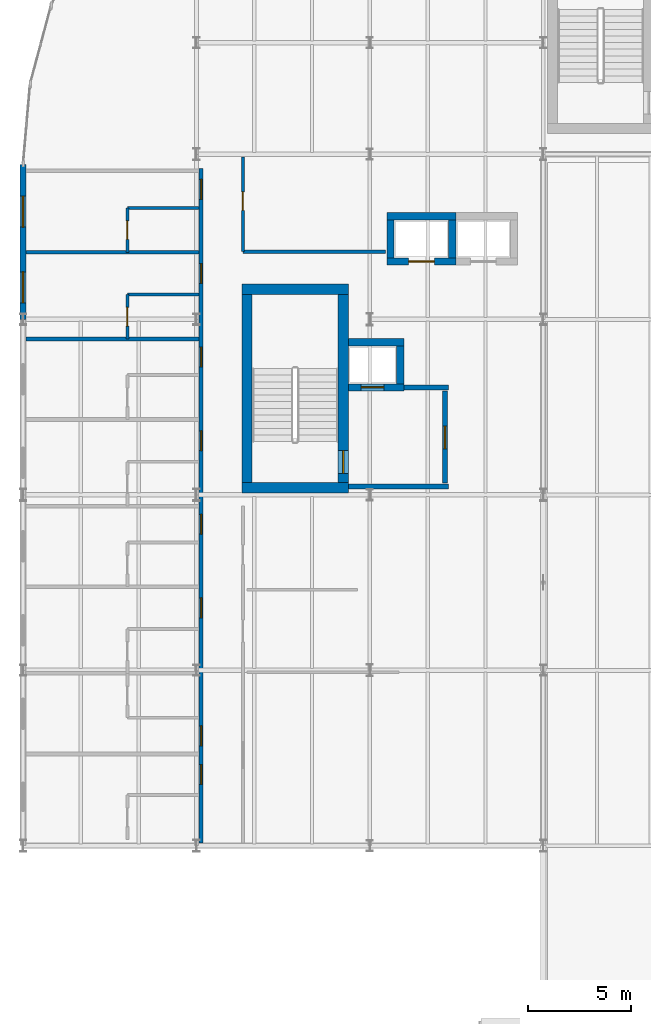
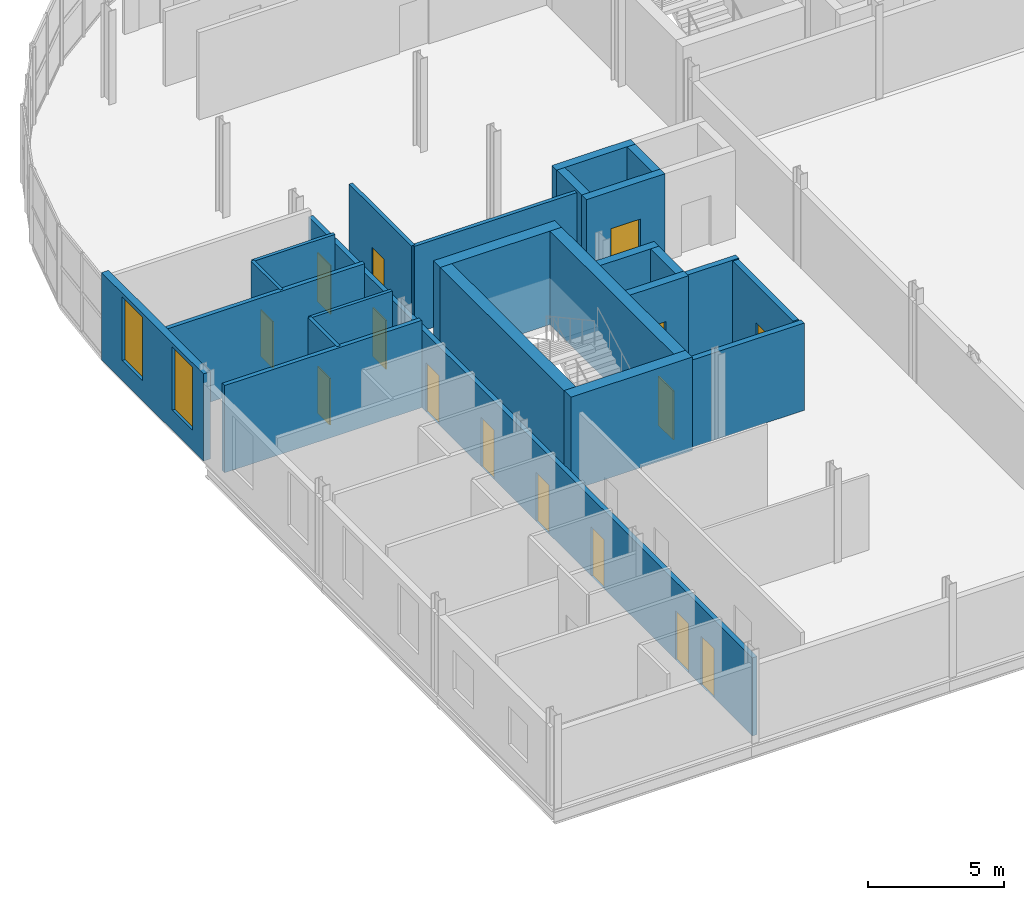
# One storey, part 42 of 58: 24 walls, 15 doors, 2 windows, 17 openings.
"""IFC4 building model written with IfcOpenShell, lengths in metres."""

from ifc_helpers import new_model, si_unit, direction, frame, frame_2d, origin, place, context, subcontext, project, spatial, rectangle, extrude, material, layer, layer_set, type_object, element, fill, save


model = new_model("IFC4")

# Units and contexts
model_context = context("Model", 3, precision=1e-05, world=origin(), true_north=direction((0.0, 1.0)))
body_context = subcontext(model_context, "Body", "Model", "MODEL_VIEW")
ifc_project = project(units=[si_unit("LENGTHUNIT", "METRE"), si_unit("AREAUNIT", "SQUARE_METRE"), si_unit("VOLUMEUNIT", "CUBIC_METRE"), si_unit("PLANEANGLEUNIT", "RADIAN"), si_unit("MASSUNIT", "GRAM", prefix="KILO")], contexts=[model_context])

# Site, building, storey
site_placement = place(None, origin())
site = spatial("IfcSite", under=ifc_project, at=site_placement, CompositionType="ELEMENT")
building_placement = place(site_placement, origin())
building = spatial("IfcBuilding", under=site, at=building_placement, Name="Sefraquen Railside Congress Hotel", CompositionType="ELEMENT")
storey_placement = place(building_placement, frame((0.0, 0.0, 16.199951171875)))
storey = spatial("IfcBuildingStorey", under=building, at=storey_placement, Name="L03", CompositionType="ELEMENT", Elevation=16.199951171875)

# Wall
ifc_material_1 = material(Name="Concrete C50/60", Category="concrete")
ifc_layer_1 = layer(ifc_material_1, 0.35009765625)
ifc_layer_set_1 = layer_set([ifc_layer_1], Name="Concrete C50/60")
wall_type_1 = type_object("IfcWallType", Name="TW-CW-350", PredefinedType="SHEAR", material=ifc_layer_set_1)
wall_1_placement = place(storey_placement, frame((15.760009765625, 86.89501953125, 0.0), z_axis=(0.0, 0.0, 1.0), x_axis=(1.0, 0.0, 0.0)))
element("IfcWall", 1, at=wall_1_placement, inside=storey, type_object=wall_type_1, Name="Lift FL-01 shaft wall N L03", PredefinedType="SHEAR", context=body_context, shape_type="SweptSolid", body=[
    extrude(rectangle(XDim=2.68994140625, YDim=0.35009765625, at=frame_2d((1.344970703125, 0.0))), origin(), (0.0, 0.0, 1.0), 3.920166015625),
])

# Wall, opening, door
wall_2_placement = place(storey_placement, frame((15.760009765625, 84.705078125, 0.0), z_axis=(0.0, 0.0, 1.0), x_axis=(1.0, 0.0, 0.0)))
wall_2 = element("IfcWall", 2, at=wall_2_placement, inside=storey, type_object=wall_type_1, Name="Lift FL-01 shaft wall S L03", PredefinedType="SHEAR", context=body_context, shape_type="SweptSolid", body=[
    extrude(rectangle(XDim=2.68994140625, YDim=0.35009765625, at=frame_2d((1.344970703125, 0.0))), origin(), (0.0, 0.0, 1.0), 3.920166015625),
])
opening_1_placement = place(wall_2_placement, frame((0.6201171875, 0.0, 0.0)))
opening_1 = element("IfcOpeningElement", 3, at=opening_1_placement, cuts=wall_2, Name="Opening LD-01", PredefinedType="OPENING", context=body_context, shape_type="SweptSolid", body=[
    extrude(rectangle(XDim=1.10009765625, YDim=2.199951171875, at=frame_2d((0.550048828125, 1.10009765625))), frame((0.0, 0.18505859375, 0.0), z_axis=(0.0, -1.0, 0.0), x_axis=(1.0, 0.0, 0.0)), (0.0, 0.0, 1.0), 0.3701171875),
])
ifc_material_2 = material(Name="Brushed bronze stainless steel", Category="steel")
door_type_1 = type_object("IfcDoorType", Name="TD-LD-01", OperationType="NOTDEFINED", PredefinedType="DOOR", material=ifc_material_2)
door_1_placement = place(opening_1_placement, origin())
door_1 = element("IfcDoor", 4, at=door_1_placement, inside=storey, type_object=door_type_1, Name="Lift landing door FL-01 L03", OperationType="SLIDING_TO_LEFT", OverallHeight=2.199951171875, OverallWidth=1.10009765625, PredefinedType="DOOR", context=body_context, shape_type="SweptSolid", body=[
    extrude(rectangle(XDim=1.10009765625, YDim=2.199951171875, at=frame_2d((0.550048828125, 1.10009765625))), frame((0.0, 0.02490234375, 0.0), z_axis=(0.0, -1.0, 0.0), x_axis=(1.0, 0.0, 0.0)), (0.0, 0.0, 1.0), 0.050048828125),
])
fill(opening_1, door_1)

# Walls
wall_3_placement = place(storey_placement, frame((18.27490234375, 84.8798828125, 0.0), z_axis=(0.0, 0.0, 1.0), x_axis=(0.0, 1.0, 0.0)))
element("IfcWall", 5, at=wall_3_placement, inside=storey, type_object=wall_type_1, Name="Lift FL-01 shaft wall E L03", PredefinedType="SHEAR", context=body_context, shape_type="SweptSolid", body=[
    extrude(rectangle(XDim=1.840087890625, YDim=0.35009765625, at=frame_2d((0.919921875, 0.0))), origin(), (0.0, 0.0, 1.0), 3.920166015625),
])
wall_4_placement = place(storey_placement, frame((17.6298828125, 92.9951171875, 0.0), z_axis=(0.0, 0.0, 1.0), x_axis=(1.0, 0.0, 0.0)))
element("IfcWall", 6, at=wall_4_placement, inside=storey, type_object=wall_type_1, Name="Lift PL-01 shaft wall N L03", PredefinedType="SHEAR", context=body_context, shape_type="SweptSolid", body=[
    extrude(rectangle(XDim=3.340087890625, YDim=0.35009765625, at=frame_2d((1.669921875, 0.0))), origin(), (0.0, 0.0, 1.0), 3.920166015625),
])

# Wall, opening, door
wall_5_placement = place(storey_placement, frame((17.6298828125, 90.804931640625, 0.0), z_axis=(0.0, 0.0, 1.0), x_axis=(1.0, 0.0, 0.0)))
wall_5 = element("IfcWall", 7, at=wall_5_placement, inside=storey, type_object=wall_type_1, Name="Lift PL-01 shaft wall S L03", PredefinedType="SHEAR", context=body_context, shape_type="SweptSolid", body=[
    extrude(rectangle(XDim=3.340087890625, YDim=0.35009765625, at=frame_2d((1.669921875, 0.0))), origin(), (0.0, 0.0, 1.0), 3.920166015625),
])
opening_2_placement = place(wall_5_placement, frame((1.044921875, 0.0, 0.0)))
opening_2 = element("IfcOpeningElement", 8, at=opening_2_placement, cuts=wall_5, Name="Opening LD-02", PredefinedType="OPENING", context=body_context, shape_type="SweptSolid", body=[
    extrude(rectangle(XDim=1.25, YDim=2.25, at=frame_2d((0.625, 1.125))), frame((0.0, 0.18505859375, 0.0), z_axis=(0.0, -1.0, 0.0), x_axis=(1.0, 0.0, 0.0)), (0.0, 0.0, 1.0), 0.3701171875),
])
ifc_material_3 = material(Name="Brushed stainless steel", Category="steel")
door_type_2 = type_object("IfcDoorType", Name="TD-LD-02", OperationType="NOTDEFINED", PredefinedType="DOOR", material=ifc_material_3)
door_2_placement = place(opening_2_placement, origin())
door_2 = element("IfcDoor", 9, at=door_2_placement, inside=storey, type_object=door_type_2, Name="Lift landing door PL-01 L03", OperationType="SLIDING_TO_LEFT", OverallHeight=2.25, OverallWidth=1.25, PredefinedType="DOOR", context=body_context, shape_type="SweptSolid", body=[
    extrude(rectangle(XDim=1.25, YDim=2.25, at=frame_2d((0.625, 1.125))), frame((0.0, 0.02490234375, 0.0), z_axis=(0.0, -1.0, 0.0), x_axis=(1.0, 0.0, 0.0)), (0.0, 0.0, 1.0), 0.050048828125),
])
fill(opening_2, door_2)

# Walls
for number, where, z_axis, x_axis, name in (
    (10, (17.804931640625, 90.97998046875, 0.0), (0.0, 0.0, 1.0), (0.0, 1.0, 0.0), "Lift PL-01 shaft wall W L03"),
    (11, (20.794921875, 90.97998046875, 0.0), (0.0, 0.0, 1.0), (0.0, 1.0, 0.0), "Lift PL-01 shaft wall E L03"),
):
    element("IfcWall", number, at=place(storey_placement, frame(where, z_axis=z_axis, x_axis=x_axis)), inside=storey, type_object=wall_type_1, Name=name, PredefinedType="SHEAR", context=body_context, shape_type="SweptSolid", body=[
        extrude(rectangle(XDim=1.840087890625, YDim=0.35009765625, at=frame_2d((0.919921875, 0.0))), origin(), (0.0, 0.0, 1.0), 3.920166015625),
    ])
ifc_layer_2 = layer(ifc_material_1, 0.5)
ifc_layer_set_2 = layer_set([ifc_layer_2], Name="Concrete C50/60")
wall_type_2 = type_object("IfcWallType", Name="TW-CW-500", PredefinedType="SHEAR", material=ifc_layer_set_2)
for number, where, z_axis, x_axis, name in (
    (12, (10.60009765625, 89.4619140625, 0.0), (0.0, 0.0, 1.0), (1.0, 0.0, 0.0), "Core shear wall ST-H01 N L03"),
    (13, (10.60009765625, 79.85009765625, 0.0), (0.0, 0.0, 1.0), (1.0, 0.0, 0.0), "Core shear wall ST-H01 S L03"),
):
    element("IfcWall", number, at=place(storey_placement, frame(where, z_axis=z_axis, x_axis=x_axis)), inside=storey, type_object=wall_type_2, Name=name, PredefinedType="SHEAR", context=body_context, shape_type="SweptSolid", body=[
        extrude(rectangle(XDim=5.159912109375, YDim=0.5, at=frame_2d((2.580078125, 0.0))), origin(), (0.0, 0.0, 1.0), 4.199951171875),
    ])
wall_6_placement = place(storey_placement, frame((10.85009765625, 80.10009765625, 0.0), z_axis=(0.0, 0.0, 1.0), x_axis=(0.0, 1.0, 0.0)))
element("IfcWall", 14, at=wall_6_placement, inside=storey, type_object=wall_type_2, Name="Core shear wall ST-H01 W L03", PredefinedType="SHEAR", context=body_context, shape_type="SweptSolid", body=[
    extrude(rectangle(XDim=9.11181640625, YDim=0.5, at=frame_2d((4.555908203125, 0.0))), origin(), (0.0, 0.0, 1.0), 4.199951171875),
])

# Wall, opening, door
wall_7_placement = place(storey_placement, frame((15.510009765625, 80.10009765625, 0.0), z_axis=(0.0, 0.0, 1.0), x_axis=(0.0, 1.0, 0.0)))
wall_7 = element("IfcWall", 15, at=wall_7_placement, inside=storey, type_object=wall_type_2, Name="Core shear wall ST-H01 E L03", PredefinedType="SHEAR", context=body_context, shape_type="SweptSolid", body=[
    extrude(rectangle(XDim=9.11181640625, YDim=0.5, at=frame_2d((4.555908203125, 0.0))), origin(), (0.0, 0.0, 1.0), 4.199951171875),
])
opening_3_placement = place(wall_7_placement, frame((0.43994140625, 0.0, 0.0)))
opening_3 = element("IfcOpeningElement", 16, at=opening_3_placement, cuts=wall_7, Name="Opening FD-04", PredefinedType="OPENING", context=body_context, shape_type="SweptSolid", body=[
    extrude(rectangle(XDim=1.10009765625, YDim=2.199951171875, at=frame_2d((0.550048828125, 1.10009765625))), frame((0.0, 0.260009765625, 0.0), z_axis=(0.0, -1.0, 0.0), x_axis=(1.0, 0.0, 0.0)), (0.0, 0.0, 1.0), 0.52001953125),
])
ifc_material_4 = material(Name="Fire-rated steel", Category="steel")
door_type_3 = type_object("IfcDoorType", Name="TD-FD-04", OperationType="NOTDEFINED", PredefinedType="DOOR", material=ifc_material_4)
door_3_placement = place(opening_3_placement, origin())
door_3 = element("IfcDoor", 17, at=door_3_placement, inside=storey, type_object=door_type_3, Name="Pressurized stair ST-H01 fire door L03", OperationType="SINGLE_SWING_LEFT", OverallHeight=2.199951171875, OverallWidth=1.10009765625, PredefinedType="DOOR", context=body_context, shape_type="SweptSolid", body=[
    extrude(rectangle(XDim=1.10009765625, YDim=2.199951171875, at=frame_2d((0.550048828125, 1.10009765625))), frame((0.0, 0.02490234375, 0.0), z_axis=(0.0, -1.0, 0.0), x_axis=(1.0, 0.0, 0.0)), (0.0, 0.0, 1.0), 0.050048828125),
])
fill(opening_3, door_3)

# Wall, openings, windows
ifc_material_5 = material(Name="Ochre Rabat calcarenite limestone and Concrete C40/50 backing", Category="masonry")
ifc_layer_3 = layer(ifc_material_5, 0.300048828125)
ifc_layer_set_3 = layer_set([ifc_layer_3], Name="Ochre Rabat calcarenite limestone and Concrete C40/50 backing")
wall_type_3 = type_object("IfcWallType", Name="TW-EW-300", PredefinedType="STANDARD", material=ifc_layer_set_3)
wall_8_placement = place(storey_placement, frame((0.0, 88.0, 0.0), z_axis=(0.0, 0.0, 1.0), x_axis=(0.0, 1.0, 0.0)))
wall_8 = element("IfcWall", 18, at=wall_8_placement, inside=storey, type_object=wall_type_3, Name="Hotel L03 West Forecourt facade wall", PredefinedType="STANDARD", context=body_context, shape_type="SweptSolid", body=[
    extrude(rectangle(XDim=7.5, YDim=0.300048828125, at=frame_2d((3.75, 0.0))), origin(), (0.0, 0.0, 1.0), 3.920166015625),
])
opening_4_placement = place(wall_8_placement, frame((0.800048828125, 0.0, 0.89990234375)))
opening_4 = element("IfcOpeningElement", 19, at=opening_4_placement, cuts=wall_8, Name="Opening WN-29", PredefinedType="OPENING", context=body_context, shape_type="SweptSolid", body=[
    extrude(rectangle(XDim=1.5, YDim=2.840087890625, at=frame_2d((0.75, 1.419921875))), frame((0.0, 0.159912109375, 0.0), z_axis=(0.0, -1.0, 0.0), x_axis=(1.0, 0.0, 0.0)), (0.0, 0.0, 1.0), 0.320068359375),
])
opening_5_placement = place(wall_8_placement, frame((4.47412109375, 0.0, 0.89990234375)))
opening_5 = element("IfcOpeningElement", 20, at=opening_5_placement, cuts=wall_8, Name="Opening WN-30", PredefinedType="OPENING", context=body_context, shape_type="SweptSolid", body=[
    extrude(rectangle(XDim=1.5, YDim=2.840087890625, at=frame_2d((0.75, 1.419921875))), frame((0.0, 0.159912109375, 0.0), z_axis=(0.0, -1.0, 0.0), x_axis=(1.0, 0.0, 0.0)), (0.0, 0.0, 1.0), 0.320068359375),
])
ifc_material_6 = material(Name="Solar-control low-E double glazing in bronze-anodised frame", Category="glass")
window_type_1 = type_object("IfcWindowType", Name="TWN-W-29", PartitioningType="DOUBLE_PANEL_VERTICAL", PredefinedType="WINDOW", material=ifc_material_6)
window_1_placement = place(opening_4_placement, origin())
window_1 = element("IfcWindow", 21, at=window_1_placement, inside=storey, type_object=window_type_1, Name="Guest room west window SP-L03-RM-029", OverallHeight=2.840087890625, OverallWidth=1.5, PartitioningType="DOUBLE_PANEL_VERTICAL", PredefinedType="WINDOW", context=body_context, shape_type="SweptSolid", body=[
    extrude(rectangle(XDim=1.5, YDim=2.840087890625, at=frame_2d((0.75, 1.419921875))), frame((0.0, 0.030029296875, 0.0), z_axis=(0.0, -1.0, 0.0), x_axis=(1.0, 0.0, 0.0)), (0.0, 0.0, 1.0), 0.06005859375),
])
fill(opening_4, window_1)
window_type_2 = type_object("IfcWindowType", Name="TWN-W-30", PartitioningType="DOUBLE_PANEL_VERTICAL", PredefinedType="WINDOW", material=ifc_material_6)
window_2_placement = place(opening_5_placement, origin())
window_2 = element("IfcWindow", 22, at=window_2_placement, inside=storey, type_object=window_type_2, Name="Guest room west window SP-L03-RM-030", OverallHeight=2.840087890625, OverallWidth=1.5, PartitioningType="DOUBLE_PANEL_VERTICAL", PredefinedType="WINDOW", context=body_context, shape_type="SweptSolid", body=[
    extrude(rectangle(XDim=1.5, YDim=2.840087890625, at=frame_2d((0.75, 1.419921875))), frame((0.0, 0.030029296875, 0.0), z_axis=(0.0, -1.0, 0.0), x_axis=(1.0, 0.0, 0.0)), (0.0, 0.0, 1.0), 0.06005859375),
])
fill(opening_5, window_2)

# Walls
ifc_material_7 = material(Name="Concrete C40/50", Category="concrete")
ifc_layer_4 = layer(ifc_material_7, 0.239990234375)
ifc_layer_set_4 = layer_set([ifc_layer_4], Name="Concrete C40/50")
wall_type_4 = type_object("IfcWallType", Name="TW-FW-240", PredefinedType="STANDARD", material=ifc_layer_set_4)
wall_9_placement = place(storey_placement, frame((15.760009765625, 79.89990234375, 0.0), z_axis=(0.0, 0.0, 1.0), x_axis=(1.0, 0.0, 0.0)))
element("IfcWall", 23, at=wall_9_placement, inside=storey, type_object=wall_type_4, Name="Firefighting Lift Lobby FFL-01 S fire wall L03", PredefinedType="STANDARD", context=body_context, shape_type="SweptSolid", body=[
    extrude(rectangle(XDim=4.860107421875, YDim=0.239990234375, at=frame_2d((2.43017578125, 0.0))), origin(), (0.0, 0.0, 1.0), 3.920166015625),
])
wall_10_placement = place(storey_placement, frame((18.449951171875, 84.705078125, 0.0), z_axis=(0.0, 0.0, 1.0), x_axis=(1.0, 0.0, 0.0)))
element("IfcWall", 24, at=wall_10_placement, inside=storey, type_object=wall_type_4, Name="Firefighting Lift Lobby FFL-01 N fire wall L03", PredefinedType="STANDARD", context=body_context, shape_type="SweptSolid", body=[
    extrude(rectangle(XDim=2.170166015625, YDim=0.239990234375, at=frame_2d((1.0849609375, 0.0))), origin(), (0.0, 0.0, 1.0), 3.920166015625),
])

# Wall, opening, door
wall_11_placement = place(storey_placement, frame((20.43994140625, 80.080078125, 0.0), z_axis=(0.0, 0.0, 1.0), x_axis=(0.0, 1.0, 0.0)))
wall_11 = element("IfcWall", 25, at=wall_11_placement, inside=storey, type_object=wall_type_4, Name="Firefighting Lift Lobby FFL-01 EI 120 separation wall L03", PredefinedType="STANDARD", context=body_context, shape_type="SweptSolid", body=[
    extrude(rectangle(XDim=4.449951171875, YDim=0.239990234375, at=frame_2d((2.22509765625, 0.0))), origin(), (0.0, 0.0, 1.0), 3.920166015625),
])
opening_6_placement = place(wall_11_placement, frame((1.64990234375, 0.0, 0.0)))
opening_6 = element("IfcOpeningElement", 26, at=opening_6_placement, cuts=wall_11, Name="Opening FD-04", PredefinedType="OPENING", context=body_context, shape_type="SweptSolid", body=[
    extrude(rectangle(XDim=1.10009765625, YDim=2.199951171875, at=frame_2d((0.550048828125, 1.10009765625))), frame((0.0, 0.1298828125, 0.0), z_axis=(0.0, -1.0, 0.0), x_axis=(1.0, 0.0, 0.0)), (0.0, 0.0, 1.0), 0.260009765625),
])
door_4_placement = place(opening_6_placement, origin())
door_4 = element("IfcDoor", 27, at=door_4_placement, inside=storey, type_object=door_type_3, Name="Firefighting Lift Lobby FFL-01 self-closing fire door L03", OperationType="SINGLE_SWING_LEFT", OverallHeight=2.199951171875, OverallWidth=1.10009765625, PredefinedType="DOOR", context=body_context, shape_type="SweptSolid", body=[
    extrude(rectangle(XDim=1.10009765625, YDim=2.199951171875, at=frame_2d((0.550048828125, 1.10009765625))), frame((0.0, 0.02490234375, 0.0), z_axis=(0.0, -1.0, 0.0), x_axis=(1.0, 0.0, 0.0)), (0.0, 0.0, 1.0), 0.050048828125),
])
fill(opening_6, door_4)

# Wall
ifc_material_8 = material(Name="Moisture-resistant gypsum board", Category="gypsum")
ifc_layer_5 = layer(ifc_material_8, 0.139892578125)
ifc_layer_set_5 = layer_set([ifc_layer_5], Name="Moisture-resistant gypsum board")
wall_type_5 = type_object("IfcWallType", Name="TW-PW-140", PredefinedType="PARTITIONING", material=ifc_layer_set_5)
wall_12_placement = place(storey_placement, frame((5.050048828125, 89.200927734375, 0.0), z_axis=(0.0, 0.0, 1.0), x_axis=(1.0, 0.0, 0.0)))
element("IfcWall", 28, at=wall_12_placement, inside=storey, type_object=wall_type_5, Name="West en-suite bathroom north wall RM-029", PredefinedType="PARTITIONING", context=body_context, shape_type="SweptSolid", body=[
    extrude(rectangle(XDim=3.469970703125, YDim=0.139892578125, at=frame_2d((1.73486328125, 0.0))), origin(), (0.0, 0.0, 1.0), 3.920166015625),
])

# Wall, opening, door
wall_13_placement = place(storey_placement, frame((5.050048828125, 87.051025390625, 0.0), z_axis=(0.0, 0.0, 1.0), x_axis=(0.0, 1.0, 0.0)))
wall_13 = element("IfcWall", 29, at=wall_13_placement, inside=storey, type_object=wall_type_5, Name="West en-suite bathroom west wall RM-029", PredefinedType="PARTITIONING", context=body_context, shape_type="SweptSolid", body=[
    extrude(rectangle(XDim=2.14990234375, YDim=0.139892578125, at=frame_2d((1.074951171875, 0.0))), origin(), (0.0, 0.0, 1.0), 3.920166015625),
])
opening_7_placement = place(wall_13_placement, frame((0.625, 0.0, 0.0)))
opening_7 = element("IfcOpeningElement", 30, at=opening_7_placement, cuts=wall_13, Name="Opening ID-02", PredefinedType="OPENING", context=body_context, shape_type="SweptSolid", body=[
    extrude(rectangle(XDim=0.89990234375, YDim=2.10009765625, at=frame_2d((0.449951171875, 1.050048828125))), frame((0.0, 0.079833984375, 0.0), z_axis=(0.0, -1.0, 0.0), x_axis=(1.0, 0.0, 0.0)), (0.0, 0.0, 1.0), 0.159912109375),
])
ifc_material_9 = material(Name="Lacquered cedar joinery", Category="wood")
door_type_4 = type_object("IfcDoorType", Name="TD-ID-02", OperationType="NOTDEFINED", PredefinedType="DOOR", material=ifc_material_9)
door_5_placement = place(opening_7_placement, frame((0.89990234375, 0.0, 0.0), z_axis=(0.0, 0.0, 1.0), x_axis=(-1.0, 0.0, 0.0)))
door_5 = element("IfcDoor", 31, at=door_5_placement, inside=storey, type_object=door_type_4, Name="En-suite bathroom door RM-029", OperationType="SINGLE_SWING_LEFT", OverallHeight=2.10009765625, OverallWidth=0.89990234375, PredefinedType="DOOR", context=body_context, shape_type="SweptSolid", body=[
    extrude(rectangle(XDim=0.89990234375, YDim=2.10009765625, at=frame_2d((0.449951171875, 1.050048828125))), frame((0.0, 0.02490234375, 0.0), z_axis=(0.0, -1.0, 0.0), x_axis=(1.0, 0.0, 0.0)), (0.0, 0.0, 1.0), 0.050048828125),
])
fill(opening_7, door_5)

# Wall
wall_14_placement = place(storey_placement, frame((5.050048828125, 93.39794921875, 0.0), z_axis=(0.0, 0.0, 1.0), x_axis=(1.0, 0.0, 0.0)))
element("IfcWall", 32, at=wall_14_placement, inside=storey, type_object=wall_type_5, Name="West en-suite bathroom north wall RM-030", PredefinedType="PARTITIONING", context=body_context, shape_type="SweptSolid", body=[
    extrude(rectangle(XDim=3.469970703125, YDim=0.139892578125, at=frame_2d((1.73486328125, 0.0))), origin(), (0.0, 0.0, 1.0), 3.920166015625),
])

# Wall, opening, door
wall_15_placement = place(storey_placement, frame((5.050048828125, 91.248046875, 0.0), z_axis=(0.0, 0.0, 1.0), x_axis=(0.0, 1.0, 0.0)))
wall_15 = element("IfcWall", 33, at=wall_15_placement, inside=storey, type_object=wall_type_5, Name="West en-suite bathroom west wall RM-030", PredefinedType="PARTITIONING", context=body_context, shape_type="SweptSolid", body=[
    extrude(rectangle(XDim=2.14990234375, YDim=0.139892578125, at=frame_2d((1.074951171875, 0.0))), origin(), (0.0, 0.0, 1.0), 3.920166015625),
])
opening_8_placement = place(wall_15_placement, frame((0.625, 0.0, 0.0)))
opening_8 = element("IfcOpeningElement", 34, at=opening_8_placement, cuts=wall_15, Name="Opening ID-02", PredefinedType="OPENING", context=body_context, shape_type="SweptSolid", body=[
    extrude(rectangle(XDim=0.89990234375, YDim=2.10009765625, at=frame_2d((0.449951171875, 1.050048828125))), frame((0.0, 0.079833984375, 0.0), z_axis=(0.0, -1.0, 0.0), x_axis=(1.0, 0.0, 0.0)), (0.0, 0.0, 1.0), 0.159912109375),
])
door_6_placement = place(opening_8_placement, frame((0.89990234375, 0.0, 0.0), z_axis=(0.0, 0.0, 1.0), x_axis=(-1.0, 0.0, 0.0)))
door_6 = element("IfcDoor", 35, at=door_6_placement, inside=storey, type_object=door_type_4, Name="En-suite bathroom door RM-030", OperationType="SINGLE_SWING_LEFT", OverallHeight=2.10009765625, OverallWidth=0.89990234375, PredefinedType="DOOR", context=body_context, shape_type="SweptSolid", body=[
    extrude(rectangle(XDim=0.89990234375, YDim=2.10009765625, at=frame_2d((0.449951171875, 1.050048828125))), frame((0.0, 0.02490234375, 0.0), z_axis=(0.0, -1.0, 0.0), x_axis=(1.0, 0.0, 0.0)), (0.0, 0.0, 1.0), 0.050048828125),
])
fill(opening_8, door_6)

ifc_layer_6 = layer(ifc_material_8, 0.159912109375)
ifc_layer_set_6 = layer_set([ifc_layer_6], Name="Moisture-resistant gypsum board")
wall_type_6 = type_object("IfcWallType", Name="TW-PW-160", PredefinedType="PARTITIONING", material=ifc_layer_set_6)
wall_16_placement = place(storey_placement, frame((10.64990234375, 91.280029296875, 0.0), z_axis=(0.0, 0.0, 1.0), x_axis=(0.0, 1.0, 0.0)))
wall_16 = element("IfcWall", 36, at=wall_16_placement, inside=storey, type_object=wall_type_6, Name="Hotel L03 west-return corridor E2 partition", PredefinedType="PARTITIONING", context=body_context, shape_type="SweptSolid", body=[
    extrude(rectangle(XDim=4.580078125, YDim=0.159912109375, at=frame_2d((2.2900390625, 0.0))), origin(), (0.0, 0.0, 1.0), 3.920166015625),
])
opening_9_placement = place(wall_16_placement, frame((2.0, 0.0, 0.0)))
opening_9 = element("IfcOpeningElement", 37, at=opening_9_placement, cuts=wall_16, Name="Opening ID-02", PredefinedType="OPENING", context=body_context, shape_type="SweptSolid", body=[
    extrude(rectangle(XDim=0.89990234375, YDim=2.10009765625, at=frame_2d((0.449951171875, 1.050048828125))), frame((0.0, 0.08984375, 0.0), z_axis=(0.0, -1.0, 0.0), x_axis=(1.0, 0.0, 0.0)), (0.0, 0.0, 1.0), 0.179931640625),
])
door_7_placement = place(opening_9_placement, origin())
door_7 = element("IfcDoor", 38, at=door_7_placement, inside=storey, type_object=door_type_4, Name="Hotel floor Staff WC door L03", OperationType="SINGLE_SWING_RIGHT", OverallHeight=2.10009765625, OverallWidth=0.89990234375, PredefinedType="DOOR", context=body_context, shape_type="SweptSolid", body=[
    extrude(rectangle(XDim=0.89990234375, YDim=2.10009765625, at=frame_2d((0.449951171875, 1.050048828125))), frame((0.0, 0.02490234375, 0.0), z_axis=(0.0, -1.0, 0.0), x_axis=(1.0, 0.0, 0.0)), (0.0, 0.0, 1.0), 0.050048828125),
])
fill(opening_9, door_7)

# Walls
wall_17_placement = place(storey_placement, frame((10.64990234375, 91.280029296875, 0.0), z_axis=(0.0, 0.0, 1.0), x_axis=(1.0, 0.0, 0.0)))
element("IfcWall", 39, at=wall_17_placement, inside=storey, type_object=wall_type_6, Name="Hotel L03 staff WC south enclosure partition", PredefinedType="PARTITIONING", context=body_context, shape_type="SweptSolid", body=[
    extrude(rectangle(XDim=6.900146484375, YDim=0.159912109375, at=frame_2d((3.4501953125, 0.0))), origin(), (0.0, 0.0, 1.0), 3.920166015625),
])
ifc_material_10 = material(Name="Acoustic gypsum board on metal stud", Category="gypsum")
ifc_layer_7 = layer(ifc_material_10, 0.179931640625)
ifc_layer_set_7 = layer_set([ifc_layer_7], Name="Acoustic gypsum board on metal stud")
wall_type_7 = type_object("IfcWallType", Name="TW-PW-180", PredefinedType="PARTITIONING", material=ifc_layer_set_7)
for number, where, z_axis, x_axis, name in (
    (40, (0.14990234375, 87.051025390625, 0.0), (0.0, 0.0, 1.0), (1.0, 0.0, 0.0), "West return guest room demising wall RM-028"),
    (41, (0.14990234375, 91.248046875, 0.0), (0.0, 0.0, 1.0), (1.0, 0.0, 0.0), "West return guest room demising wall RM-029"),
):
    element("IfcWall", number, at=place(storey_placement, frame(where, z_axis=z_axis, x_axis=x_axis)), inside=storey, type_object=wall_type_7, Name=name, PredefinedType="PARTITIONING", context=body_context, shape_type="SweptSolid", body=[
        extrude(rectangle(XDim=8.3701171875, YDim=0.179931640625, at=frame_2d((4.18505859375, 0.0))), origin(), (0.0, 0.0, 1.0), 3.920166015625),
    ])

# Wall, openings, doors
ifc_layer_8 = layer(ifc_material_10, 0.199951171875)
ifc_layer_set_8 = layer_set([ifc_layer_8], Name="Acoustic gypsum board on metal stud")
wall_type_8 = type_object("IfcWallType", Name="TW-PW-200", PredefinedType="PARTITIONING", material=ifc_layer_set_8)
wall_18_placement = place(storey_placement, frame((8.6201171875, 62.639892578125, 0.0), z_axis=(0.0, 0.0, 1.0), x_axis=(0.0, 1.0, 0.0)))
wall_18 = element("IfcWall", 42, at=wall_18_placement, inside=storey, type_object=wall_type_8, Name="Hotel L03 west-return corridor W partition", PredefinedType="PARTITIONING", context=body_context, shape_type="SweptSolid", body=[
    extrude(rectangle(XDim=32.66015625, YDim=0.199951171875, at=frame_2d((16.330078125, 0.0))), origin(), (0.0, 0.0, 1.0), 3.510009765625),
])
opening_10_placement = place(wall_18_placement, frame((2.8291015625, 0.0, 0.0)))
opening_10 = element("IfcOpeningElement", 43, at=opening_10_placement, cuts=wall_18, Name="Opening GD-02", PredefinedType="OPENING", context=body_context, shape_type="SweptSolid", body=[
    extrude(rectangle(XDim=0.9599609375, YDim=2.199951171875, at=frame_2d((0.47998046875, 1.10009765625))), frame((0.0, 0.10986328125, 0.0), z_axis=(0.0, -1.0, 0.0), x_axis=(1.0, 0.0, 0.0)), (0.0, 0.0, 1.0), 0.219970703125),
])
opening_11_placement = place(wall_18_placement, frame((4.7041015625, 0.0, 0.0)))
opening_11 = element("IfcOpeningElement", 44, at=opening_11_placement, cuts=wall_18, Name="Opening GD-02", PredefinedType="OPENING", context=body_context, shape_type="SweptSolid", body=[
    extrude(rectangle(XDim=0.9599609375, YDim=2.199951171875, at=frame_2d((0.47998046875, 1.10009765625))), frame((0.0, 0.10986328125, 0.0), z_axis=(0.0, -1.0, 0.0), x_axis=(1.0, 0.0, 0.0)), (0.0, 0.0, 1.0), 0.219970703125),
])
opening_12_placement = place(wall_18_placement, frame((10.905029296875, 0.0, 0.0)))
opening_12 = element("IfcOpeningElement", 45, at=opening_12_placement, cuts=wall_18, Name="Opening GD-02", PredefinedType="OPENING", context=body_context, shape_type="SweptSolid", body=[
    extrude(rectangle(XDim=0.9599609375, YDim=2.199951171875, at=frame_2d((0.47998046875, 1.10009765625))), frame((0.0, 0.10986328125, 0.0), z_axis=(0.0, -1.0, 0.0), x_axis=(1.0, 0.0, 0.0)), (0.0, 0.0, 1.0), 0.219970703125),
])
opening_13_placement = place(wall_18_placement, frame((14.9541015625, 0.0, 0.0)))
opening_13 = element("IfcOpeningElement", 46, at=opening_13_placement, cuts=wall_18, Name="Opening GD-02", PredefinedType="OPENING", context=body_context, shape_type="SweptSolid", body=[
    extrude(rectangle(XDim=0.9599609375, YDim=2.199951171875, at=frame_2d((0.47998046875, 1.10009765625))), frame((0.0, 0.10986328125, 0.0), z_axis=(0.0, -1.0, 0.0), x_axis=(1.0, 0.0, 0.0)), (0.0, 0.0, 1.0), 0.219970703125),
])
opening_14_placement = place(wall_18_placement, frame((19.00390625, 0.0, 0.0)))
opening_14 = element("IfcOpeningElement", 47, at=opening_14_placement, cuts=wall_18, Name="Opening GD-02", PredefinedType="OPENING", context=body_context, shape_type="SweptSolid", body=[
    extrude(rectangle(XDim=0.9599609375, YDim=2.199951171875, at=frame_2d((0.47998046875, 1.10009765625))), frame((0.0, 0.10986328125, 0.0), z_axis=(0.0, -1.0, 0.0), x_axis=(1.0, 0.0, 0.0)), (0.0, 0.0, 1.0), 0.219970703125),
])
opening_15_placement = place(wall_18_placement, frame((23.054931640625, 0.0, 0.0)))
opening_15 = element("IfcOpeningElement", 48, at=opening_15_placement, cuts=wall_18, Name="Opening GD-02", PredefinedType="OPENING", context=body_context, shape_type="SweptSolid", body=[
    extrude(rectangle(XDim=0.9599609375, YDim=2.199951171875, at=frame_2d((0.47998046875, 1.10009765625))), frame((0.0, 0.10986328125, 0.0), z_axis=(0.0, -1.0, 0.0), x_axis=(1.0, 0.0, 0.0)), (0.0, 0.0, 1.0), 0.219970703125),
])
opening_16_placement = place(wall_18_placement, frame((27.10400390625, 0.0, 0.0)))
opening_16 = element("IfcOpeningElement", 49, at=opening_16_placement, cuts=wall_18, Name="Opening GD-02", PredefinedType="OPENING", context=body_context, shape_type="SweptSolid", body=[
    extrude(rectangle(XDim=0.9599609375, YDim=2.199951171875, at=frame_2d((0.47998046875, 1.10009765625))), frame((0.0, 0.10986328125, 0.0), z_axis=(0.0, -1.0, 0.0), x_axis=(1.0, 0.0, 0.0)), (0.0, 0.0, 1.0), 0.219970703125),
])
opening_17_placement = place(wall_18_placement, frame((31.178955078125, 0.0, 0.0)))
opening_17 = element("IfcOpeningElement", 50, at=opening_17_placement, cuts=wall_18, Name="Opening GD-02", PredefinedType="OPENING", context=body_context, shape_type="SweptSolid", body=[
    extrude(rectangle(XDim=0.9599609375, YDim=2.199951171875, at=frame_2d((0.47998046875, 1.10009765625))), frame((0.0, 0.10986328125, 0.0), z_axis=(0.0, -1.0, 0.0), x_axis=(1.0, 0.0, 0.0)), (0.0, 0.0, 1.0), 0.219970703125),
])
ifc_material_11 = material(Name="Solid Atlas cedar timber fire leaf", Category="wood")
door_type_5 = type_object("IfcDoorType", Name="TD-GD-02", OperationType="NOTDEFINED", PredefinedType="DOOR", material=ifc_material_11)
door_8_placement = place(opening_10_placement, frame((0.9599609375, 0.0, 0.0), z_axis=(0.0, 0.0, 1.0), x_axis=(-1.0, 0.0, 0.0)))
door_8 = element("IfcDoor", 51, at=door_8_placement, inside=storey, type_object=door_type_5, Name="Guest room entrance fire door RM-023", OperationType="SINGLE_SWING_RIGHT", OverallHeight=2.199951171875, OverallWidth=0.9599609375, PredefinedType="DOOR", context=body_context, shape_type="SweptSolid", body=[
    extrude(rectangle(XDim=0.9599609375, YDim=2.199951171875, at=frame_2d((0.47998046875, 1.10009765625))), frame((0.0, 0.02490234375, 0.0), z_axis=(0.0, -1.0, 0.0), x_axis=(1.0, 0.0, 0.0)), (0.0, 0.0, 1.0), 0.050048828125),
])
fill(opening_10, door_8)
door_9_placement = place(opening_11_placement, frame((0.9599609375, 0.0, 0.0), z_axis=(0.0, 0.0, 1.0), x_axis=(-1.0, 0.0, 0.0)))
door_9 = element("IfcDoor", 52, at=door_9_placement, inside=storey, type_object=door_type_5, Name="Guest room entrance fire door RM-024", OperationType="SINGLE_SWING_RIGHT", OverallHeight=2.199951171875, OverallWidth=0.9599609375, PredefinedType="DOOR", context=body_context, shape_type="SweptSolid", body=[
    extrude(rectangle(XDim=0.9599609375, YDim=2.199951171875, at=frame_2d((0.47998046875, 1.10009765625))), frame((0.0, 0.02490234375, 0.0), z_axis=(0.0, -1.0, 0.0), x_axis=(1.0, 0.0, 0.0)), (0.0, 0.0, 1.0), 0.050048828125),
])
fill(opening_11, door_9)
door_10_placement = place(opening_12_placement, frame((0.9599609375, 0.0, 0.0), z_axis=(0.0, 0.0, 1.0), x_axis=(-1.0, 0.0, 0.0)))
door_10 = element("IfcDoor", 53, at=door_10_placement, inside=storey, type_object=door_type_5, Name="Guest room entrance fire door RM-025", OperationType="SINGLE_SWING_RIGHT", OverallHeight=2.199951171875, OverallWidth=0.9599609375, PredefinedType="DOOR", context=body_context, shape_type="SweptSolid", body=[
    extrude(rectangle(XDim=0.9599609375, YDim=2.199951171875, at=frame_2d((0.47998046875, 1.10009765625))), frame((0.0, 0.02490234375, 0.0), z_axis=(0.0, -1.0, 0.0), x_axis=(1.0, 0.0, 0.0)), (0.0, 0.0, 1.0), 0.050048828125),
])
fill(opening_12, door_10)
door_11_placement = place(opening_13_placement, frame((0.9599609375, 0.0, 0.0), z_axis=(0.0, 0.0, 1.0), x_axis=(-1.0, 0.0, 0.0)))
door_11 = element("IfcDoor", 54, at=door_11_placement, inside=storey, type_object=door_type_5, Name="Guest room entrance fire door RM-026", OperationType="SINGLE_SWING_RIGHT", OverallHeight=2.199951171875, OverallWidth=0.9599609375, PredefinedType="DOOR", context=body_context, shape_type="SweptSolid", body=[
    extrude(rectangle(XDim=0.9599609375, YDim=2.199951171875, at=frame_2d((0.47998046875, 1.10009765625))), frame((0.0, 0.02490234375, 0.0), z_axis=(0.0, -1.0, 0.0), x_axis=(1.0, 0.0, 0.0)), (0.0, 0.0, 1.0), 0.050048828125),
])
fill(opening_13, door_11)
door_12_placement = place(opening_14_placement, frame((0.9599609375, 0.0, 0.0), z_axis=(0.0, 0.0, 1.0), x_axis=(-1.0, 0.0, 0.0)))
door_12 = element("IfcDoor", 55, at=door_12_placement, inside=storey, type_object=door_type_5, Name="Guest room entrance fire door RM-027", OperationType="SINGLE_SWING_RIGHT", OverallHeight=2.199951171875, OverallWidth=0.9599609375, PredefinedType="DOOR", context=body_context, shape_type="SweptSolid", body=[
    extrude(rectangle(XDim=0.9599609375, YDim=2.199951171875, at=frame_2d((0.47998046875, 1.10009765625))), frame((0.0, 0.02490234375, 0.0), z_axis=(0.0, -1.0, 0.0), x_axis=(1.0, 0.0, 0.0)), (0.0, 0.0, 1.0), 0.050048828125),
])
fill(opening_14, door_12)
door_13_placement = place(opening_15_placement, frame((0.9599609375, 0.0, 0.0), z_axis=(0.0, 0.0, 1.0), x_axis=(-1.0, 0.0, 0.0)))
door_13 = element("IfcDoor", 56, at=door_13_placement, inside=storey, type_object=door_type_5, Name="Guest room entrance fire door RM-028", OperationType="SINGLE_SWING_RIGHT", OverallHeight=2.199951171875, OverallWidth=0.9599609375, PredefinedType="DOOR", context=body_context, shape_type="SweptSolid", body=[
    extrude(rectangle(XDim=0.9599609375, YDim=2.199951171875, at=frame_2d((0.47998046875, 1.10009765625))), frame((0.0, 0.02490234375, 0.0), z_axis=(0.0, -1.0, 0.0), x_axis=(1.0, 0.0, 0.0)), (0.0, 0.0, 1.0), 0.050048828125),
])
fill(opening_15, door_13)
door_14_placement = place(opening_16_placement, frame((0.9599609375, 0.0, 0.0), z_axis=(0.0, 0.0, 1.0), x_axis=(-1.0, 0.0, 0.0)))
door_14 = element("IfcDoor", 57, at=door_14_placement, inside=storey, type_object=door_type_5, Name="Guest room entrance fire door RM-029", OperationType="SINGLE_SWING_RIGHT", OverallHeight=2.199951171875, OverallWidth=0.9599609375, PredefinedType="DOOR", context=body_context, shape_type="SweptSolid", body=[
    extrude(rectangle(XDim=0.9599609375, YDim=2.199951171875, at=frame_2d((0.47998046875, 1.10009765625))), frame((0.0, 0.02490234375, 0.0), z_axis=(0.0, -1.0, 0.0), x_axis=(1.0, 0.0, 0.0)), (0.0, 0.0, 1.0), 0.050048828125),
])
fill(opening_16, door_14)
door_15_placement = place(opening_17_placement, frame((0.9599609375, 0.0, 0.0), z_axis=(0.0, 0.0, 1.0), x_axis=(-1.0, 0.0, 0.0)))
door_15 = element("IfcDoor", 58, at=door_15_placement, inside=storey, type_object=door_type_5, Name="Guest room entrance fire door RM-030", OperationType="SINGLE_SWING_RIGHT", OverallHeight=2.199951171875, OverallWidth=0.9599609375, PredefinedType="DOOR", context=body_context, shape_type="SweptSolid", body=[
    extrude(rectangle(XDim=0.9599609375, YDim=2.199951171875, at=frame_2d((0.47998046875, 1.10009765625))), frame((0.0, 0.02490234375, 0.0), z_axis=(0.0, -1.0, 0.0), x_axis=(1.0, 0.0, 0.0)), (0.0, 0.0, 1.0), 0.050048828125),
])
fill(opening_17, door_15)

save(model, "model.ifc")
